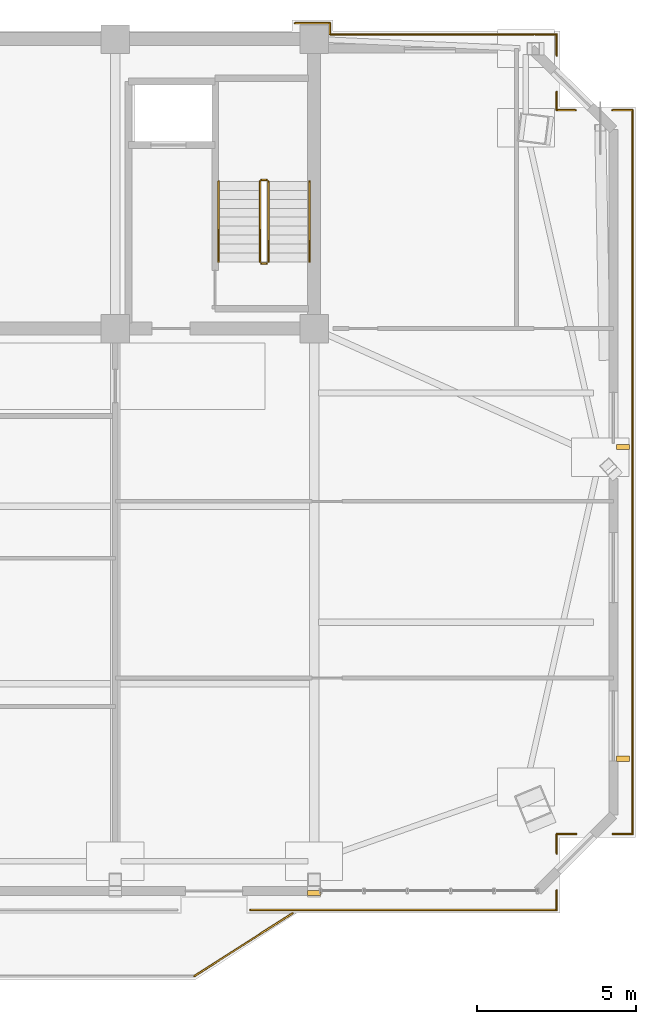
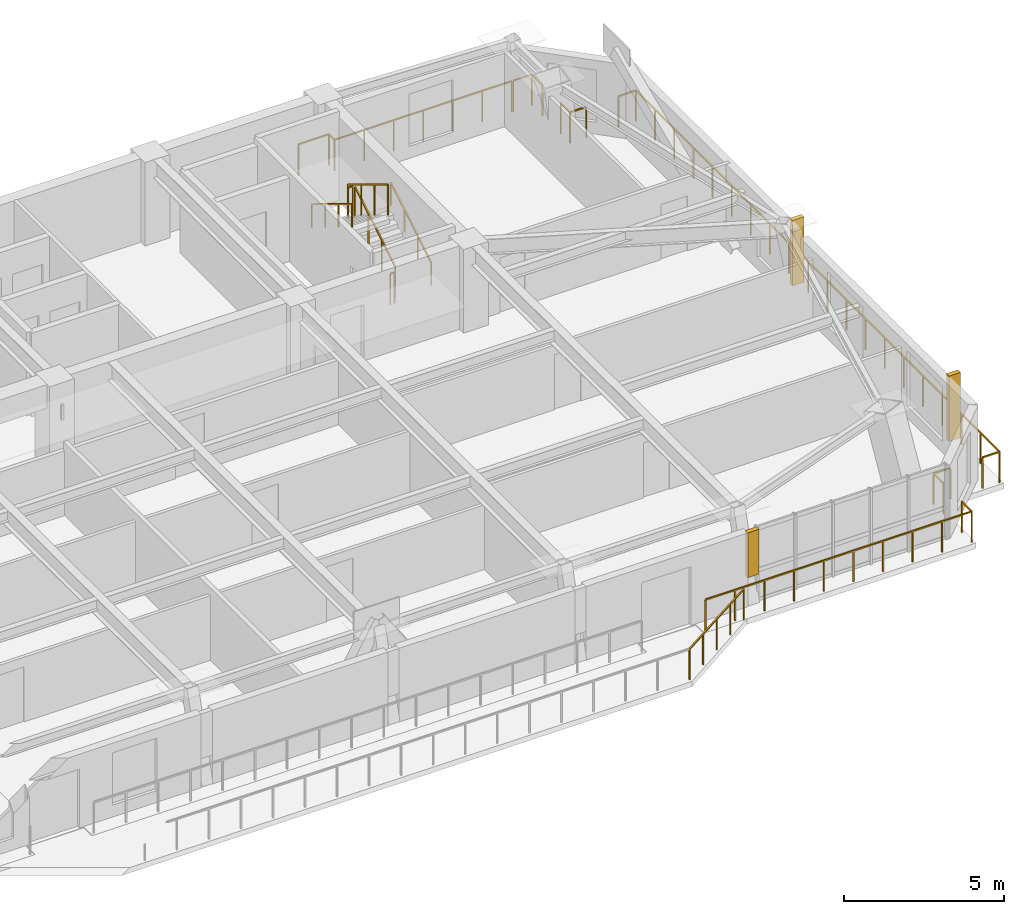
# One storey, part 14 of 14: 21 railings, 2 shading devices, 1 covering.
"""IFC4 building model written with IfcOpenShell, lengths in metres."""

from ifc_helpers import new_model, si_unit, direction, frame, origin, origin_2d, place, context, subcontext, project, spatial, polyline, rectangle, outline, extrude, source, transform, mapped, material, layer, layer_set, type_object, element, save


model = new_model("IFC4")

# Units and contexts
model_context = context("Model", 3, precision=1e-05, world=origin(), true_north=direction((0.0, 1.0)))
body_context = subcontext(model_context, "Body", "Model", "MODEL_VIEW")
ifc_project = project(units=[si_unit("LENGTHUNIT", "METRE"), si_unit("AREAUNIT", "SQUARE_METRE"), si_unit("VOLUMEUNIT", "CUBIC_METRE"), si_unit("PLANEANGLEUNIT", "RADIAN"), si_unit("MASSUNIT", "GRAM", prefix="KILO")], contexts=[model_context])

# Site, building, storey
site_placement = place(None, origin())
site = spatial("IfcSite", under=ifc_project, at=site_placement, CompositionType="ELEMENT")
building_placement = place(site_placement, origin())
building = spatial("IfcBuilding", under=site, at=building_placement, Name="Giltprow Tower", CompositionType="ELEMENT")
storey_placement = place(building_placement, frame((0.0, 0.0, 310.800048828125)))
storey = spatial("IfcBuildingStorey", under=building, at=storey_placement, Name="L80", CompositionType="ELEMENT", Elevation=310.800048828125)

# Covering
ifc_material = material(Name="Anodized bronze", Category="metal")
ifc_layer = layer(ifc_material, 0.0400390625, Name="Anodized bronze")
ifc_layer_set = layer_set([ifc_layer], Name="Anodized bronze")
covering_type = type_object("IfcCoveringType", Name="COV-SOFFIT-BRONZE", PredefinedType="CLADDING", material=ifc_layer_set)
covering_placement = place(storey_placement, frame((0.0, 0.0, 1.099853515625)))
element("IfcCovering", 1, at=covering_placement, inside=storey, type_object=covering_type, Name="L80 Setback Pier Closure Cladding S-5", PredefinedType="CLADDING", context=body_context, shape_type="SweptSolid", body=[
    extrude(outline(polyline([(50.35009765625, 19.632080078125), (50.75, 19.632080078125), (50.75, 19.7919921875), (50.35009765625, 19.7919921875), (50.35009765625, 19.632080078125)])), origin(), (0.0, 0.0, 1.0), 1.715087890625),
])

# Railings
railing_type_1 = type_object("IfcRailingType", Name="RAIL-BALC-GUARD-1200", PredefinedType="BALUSTRADE", material=ifc_material)
railing_1_placement = place(storey_placement, frame((46.780029296875, 17.092041015625, 0.0)))
element("IfcRailing", 2, at=railing_1_placement, inside=storey, type_object=railing_type_1, Name="L80 Waterfront Balcony Balustrade Seg 3", PredefinedType="BALUSTRADE", context=body_context, shape_type="SweptSolid", body=[
    extrude(rectangle(XDim=0.048095703125, YDim=0.048095703125, at=origin_2d()), frame((0.0, 0.0, 1.17578125), z_axis=(0.842755646126, 0.538296313309, 0.0), x_axis=(-0.538296313309, 0.842755646126, 0.0)), (0.0, 0.0, 1.0), 3.67822265625),
    extrude(rectangle(XDim=0.0419921875, YDim=0.0419921875, at=origin_2d()), origin(), (0.0, 0.0, 1.0), 1.15185546875),
    extrude(rectangle(XDim=0.0419921875, YDim=0.0419921875, at=origin_2d()), frame((0.77490234375, 0.4951171875, 0.0)), (0.0, 0.0, 1.0), 1.15185546875),
    extrude(rectangle(XDim=0.0419921875, YDim=0.0419921875, at=origin_2d()), frame((1.5498046875, 0.989990234375, 0.0)), (0.0, 0.0, 1.0), 1.15185546875),
    extrude(rectangle(XDim=0.0419921875, YDim=0.0419921875, at=origin_2d()), frame((2.324951171875, 1.48486328125, 0.0)), (0.0, 0.0, 1.0), 1.15185546875),
    extrude(rectangle(XDim=0.0419921875, YDim=0.0419921875, at=origin_2d()), frame((3.099853515625, 1.97998046875, 0.0)), (0.0, 0.0, 1.0), 1.15185546875),
])
railing_2_placement = place(storey_placement, frame((60.56005859375, 44.31494140625, 0.0)))
element("IfcRailing", 3, at=railing_2_placement, inside=storey, type_object=railing_type_1, Name="L80 Corner Apron Edge Balustrade 1", PredefinedType="BALUSTRADE", context=body_context, shape_type="SweptSolid", body=[
    extrude(rectangle(XDim=0.048095703125, YDim=0.048095703125, at=origin_2d()), frame((0.0, 0.0, 1.17578125), z_axis=(0.0, -1.0, 0.0), x_axis=(1.0, 0.0, 0.0)), (0.0, 0.0, 1.0), 22.758056640625),
    extrude(rectangle(XDim=0.0419921875, YDim=0.0419921875, at=origin_2d()), origin(), (0.0, 0.0, 1.0), 1.15185546875),
    extrude(rectangle(XDim=0.0419921875, YDim=0.0419921875, at=origin_2d()), frame((0.0, -1.19775390625, 0.0)), (0.0, 0.0, 1.0), 1.15185546875),
    extrude(rectangle(XDim=0.0419921875, YDim=0.0419921875, at=origin_2d()), frame((0.0, -2.3955078125, 0.0)), (0.0, 0.0, 1.0), 1.15185546875),
    extrude(rectangle(XDim=0.0419921875, YDim=0.0419921875, at=origin_2d()), frame((0.0, -3.59326171875, 0.0)), (0.0, 0.0, 1.0), 1.15185546875),
    extrude(rectangle(XDim=0.0419921875, YDim=0.0419921875, at=origin_2d()), frame((0.0, -4.791259765625, 0.0)), (0.0, 0.0, 1.0), 1.15185546875),
    extrude(rectangle(XDim=0.0419921875, YDim=0.0419921875, at=origin_2d()), frame((0.0, -5.989013671875, 0.0)), (0.0, 0.0, 1.0), 1.15185546875),
    extrude(rectangle(XDim=0.0419921875, YDim=0.0419921875, at=origin_2d()), frame((0.0, -7.186767578125, 0.0)), (0.0, 0.0, 1.0), 1.15185546875),
    extrude(rectangle(XDim=0.0419921875, YDim=0.0419921875, at=origin_2d()), frame((0.0, -8.384521484375, 0.0)), (0.0, 0.0, 1.0), 1.15185546875),
    extrude(rectangle(XDim=0.0419921875, YDim=0.0419921875, at=origin_2d()), frame((0.0, -9.582275390625, 0.0)), (0.0, 0.0, 1.0), 1.15185546875),
    extrude(rectangle(XDim=0.0419921875, YDim=0.0419921875, at=origin_2d()), frame((0.0, -10.780029296875, 0.0)), (0.0, 0.0, 1.0), 1.15185546875),
    extrude(rectangle(XDim=0.0419921875, YDim=0.0419921875, at=origin_2d()), frame((0.0, -11.97802734375, 0.0)), (0.0, 0.0, 1.0), 1.15185546875),
    extrude(rectangle(XDim=0.0419921875, YDim=0.0419921875, at=origin_2d()), frame((0.0, -13.17578125, 0.0)), (0.0, 0.0, 1.0), 1.15185546875),
    extrude(rectangle(XDim=0.0419921875, YDim=0.0419921875, at=origin_2d()), frame((0.0, -14.37353515625, 0.0)), (0.0, 0.0, 1.0), 1.15185546875),
    extrude(rectangle(XDim=0.0419921875, YDim=0.0419921875, at=origin_2d()), frame((0.0, -15.5712890625, 0.0)), (0.0, 0.0, 1.0), 1.15185546875),
    extrude(rectangle(XDim=0.0419921875, YDim=0.0419921875, at=origin_2d()), frame((0.0, -16.76904296875, 0.0)), (0.0, 0.0, 1.0), 1.15185546875),
    extrude(rectangle(XDim=0.0419921875, YDim=0.0419921875, at=origin_2d()), frame((0.0, -17.966796875, 0.0)), (0.0, 0.0, 1.0), 1.15185546875),
    extrude(rectangle(XDim=0.0419921875, YDim=0.0419921875, at=origin_2d()), frame((0.0, -19.164794921875, 0.0)), (0.0, 0.0, 1.0), 1.15185546875),
    extrude(rectangle(XDim=0.0419921875, YDim=0.0419921875, at=origin_2d()), frame((0.0, -20.362548828125, 0.0)), (0.0, 0.0, 1.0), 1.15185546875),
    extrude(rectangle(XDim=0.0419921875, YDim=0.0419921875, at=origin_2d()), frame((0.0, -21.560302734375, 0.0)), (0.0, 0.0, 1.0), 1.15185546875),
    extrude(rectangle(XDim=0.0419921875, YDim=0.0419921875, at=origin_2d()), frame((0.0, -22.758056640625, 0.0)), (0.0, 0.0, 1.0), 1.15185546875),
])
railing_3_placement = place(storey_placement, frame((60.56005859375, 21.556884765625, 0.0)))
element("IfcRailing", 4, at=railing_3_placement, inside=storey, type_object=railing_type_1, Name="L80 Corner Apron Edge Balustrade 2", PredefinedType="BALUSTRADE", context=body_context, shape_type="SweptSolid", body=[
    extrude(rectangle(XDim=0.048095703125, YDim=0.048095703125, at=origin_2d()), frame((0.0, 0.0, 1.17578125), z_axis=(-1.0, 0.0, 0.0), x_axis=(0.0, -1.0, 0.0)), (0.0, 0.0, 1.0), 0.6201171875),
    extrude(rectangle(XDim=0.0419921875, YDim=0.0419921875, at=origin_2d()), origin(), (0.0, 0.0, 1.0), 1.15185546875),
    extrude(rectangle(XDim=0.0419921875, YDim=0.0419921875, at=origin_2d()), frame((-0.6201171875, 0.0, 0.0)), (0.0, 0.0, 1.0), 1.15185546875),
])
railing_4_placement = place(storey_placement, frame((58.780029296875, 21.556884765625, 0.0)))
element("IfcRailing", 5, at=railing_4_placement, inside=storey, type_object=railing_type_1, Name="L80 Corner Apron Edge Balustrade 3", PredefinedType="BALUSTRADE", context=body_context, shape_type="SweptSolid", body=[
    extrude(rectangle(XDim=0.048095703125, YDim=0.048095703125, at=origin_2d()), frame((0.0, 0.0, 1.17578125), z_axis=(-1.0, 0.0, 0.0), x_axis=(0.0, -1.0, 0.0)), (0.0, 0.0, 1.0), 0.60400390625),
    extrude(rectangle(XDim=0.0419921875, YDim=0.0419921875, at=origin_2d()), origin(), (0.0, 0.0, 1.0), 1.15185546875),
    extrude(rectangle(XDim=0.0419921875, YDim=0.0419921875, at=origin_2d()), frame((-0.60400390625, 0.0, 0.0)), (0.0, 0.0, 1.0), 1.15185546875),
])
railing_5_placement = place(storey_placement, frame((58.176025390625, 21.556884765625, 0.0)))
element("IfcRailing", 6, at=railing_5_placement, inside=storey, type_object=railing_type_1, Name="L80 Corner Apron Edge Balustrade 4", PredefinedType="BALUSTRADE", context=body_context, shape_type="SweptSolid", body=[
    extrude(rectangle(XDim=0.048095703125, YDim=0.048095703125, at=origin_2d()), frame((0.0, 0.0, 1.17578125), z_axis=(0.0, -1.0, 0.0), x_axis=(1.0, 0.0, 0.0)), (0.0, 0.0, 1.0), 0.60400390625),
    extrude(rectangle(XDim=0.0419921875, YDim=0.0419921875, at=origin_2d()), origin(), (0.0, 0.0, 1.0), 1.15185546875),
    extrude(rectangle(XDim=0.0419921875, YDim=0.0419921875, at=origin_2d()), frame((0.0, -0.60400390625, 0.0)), (0.0, 0.0, 1.0), 1.15185546875),
])
railing_6_placement = place(storey_placement, frame((58.176025390625, 19.79296875, 0.0)))
element("IfcRailing", 7, at=railing_6_placement, inside=storey, type_object=railing_type_1, Name="L80 Corner Apron Edge Balustrade 5", PredefinedType="BALUSTRADE", context=body_context, shape_type="SweptSolid", body=[
    extrude(rectangle(XDim=0.048095703125, YDim=0.048095703125, at=origin_2d()), frame((0.0, 0.0, 1.17578125), z_axis=(0.0, -1.0, 0.0), x_axis=(1.0, 0.0, 0.0)), (0.0, 0.0, 1.0), 0.620849609375),
    extrude(rectangle(XDim=0.0419921875, YDim=0.0419921875, at=origin_2d()), origin(), (0.0, 0.0, 1.0), 1.15185546875),
    extrude(rectangle(XDim=0.0419921875, YDim=0.0419921875, at=origin_2d()), frame((0.0, -0.620849609375, 0.0)), (0.0, 0.0, 1.0), 1.15185546875),
])
railing_7_placement = place(storey_placement, frame((58.176025390625, 19.172119140625, 0.0)))
element("IfcRailing", 8, at=railing_7_placement, inside=storey, type_object=railing_type_1, Name="L80 Corner Apron Edge Balustrade 6", PredefinedType="BALUSTRADE", context=body_context, shape_type="SweptSolid", body=[
    extrude(rectangle(XDim=0.048095703125, YDim=0.048095703125, at=origin_2d()), frame((0.0, 0.0, 1.17578125), z_axis=(-1.0, 0.0, 0.0), x_axis=(0.0, -1.0, 0.0)), (0.0, 0.0, 1.0), 9.6259765625),
    extrude(rectangle(XDim=0.0419921875, YDim=0.0419921875, at=origin_2d()), origin(), (0.0, 0.0, 1.0), 1.15185546875),
    extrude(rectangle(XDim=0.0419921875, YDim=0.0419921875, at=origin_2d()), frame((-1.069580078125, 0.0, 0.0)), (0.0, 0.0, 1.0), 1.15185546875),
    extrude(rectangle(XDim=0.0419921875, YDim=0.0419921875, at=origin_2d()), frame((-2.13916015625, 0.0, 0.0)), (0.0, 0.0, 1.0), 1.15185546875),
    extrude(rectangle(XDim=0.0419921875, YDim=0.0419921875, at=origin_2d()), frame((-3.208740234375, 0.0, 0.0)), (0.0, 0.0, 1.0), 1.15185546875),
    extrude(rectangle(XDim=0.0419921875, YDim=0.0419921875, at=origin_2d()), frame((-4.2783203125, 0.0, 0.0)), (0.0, 0.0, 1.0), 1.15185546875),
    extrude(rectangle(XDim=0.0419921875, YDim=0.0419921875, at=origin_2d()), frame((-5.34765625, 0.0, 0.0)), (0.0, 0.0, 1.0), 1.15185546875),
    extrude(rectangle(XDim=0.0419921875, YDim=0.0419921875, at=origin_2d()), frame((-6.417236328125, 0.0, 0.0)), (0.0, 0.0, 1.0), 1.15185546875),
    extrude(rectangle(XDim=0.0419921875, YDim=0.0419921875, at=origin_2d()), frame((-7.48681640625, 0.0, 0.0)), (0.0, 0.0, 1.0), 1.15185546875),
    extrude(rectangle(XDim=0.0419921875, YDim=0.0419921875, at=origin_2d()), frame((-8.556396484375, 0.0, 0.0)), (0.0, 0.0, 1.0), 1.15185546875),
    extrude(rectangle(XDim=0.0419921875, YDim=0.0419921875, at=origin_2d()), frame((-9.6259765625, 0.0, 0.0)), (0.0, 0.0, 1.0), 1.15185546875),
])
railing_8_placement = place(storey_placement, frame((49.949951171875, 47.050048828125, 0.0)))
element("IfcRailing", 9, at=railing_8_placement, inside=storey, type_object=railing_type_1, Name="L80 Corner Apron Edge Balustrade 22", PredefinedType="BALUSTRADE", context=body_context, shape_type="SweptSolid", body=[
    extrude(rectangle(XDim=0.048095703125, YDim=0.048095703125, at=origin_2d()), frame((0.0, 0.0, 1.17578125), z_axis=(1.0, 0.0, 0.0), x_axis=(0.0, 1.0, 0.0)), (0.0, 0.0, 1.0), 1.10009765625),
    extrude(rectangle(XDim=0.0419921875, YDim=0.0419921875, at=origin_2d()), origin(), (0.0, 0.0, 1.0), 1.15185546875),
    extrude(rectangle(XDim=0.0419921875, YDim=0.0419921875, at=origin_2d()), frame((1.10009765625, 0.0, 0.0)), (0.0, 0.0, 1.0), 1.15185546875),
])
railing_9_placement = place(storey_placement, frame((51.050048828125, 47.050048828125, 0.0)))
element("IfcRailing", 10, at=railing_9_placement, inside=storey, type_object=railing_type_1, Name="L80 Corner Apron Edge Balustrade 23", PredefinedType="BALUSTRADE", context=body_context, shape_type="SweptSolid", body=[
    extrude(rectangle(XDim=0.048095703125, YDim=0.048095703125, at=origin_2d()), frame((0.0, 0.0, 1.17578125), z_axis=(0.0, -1.0, 0.0), x_axis=(1.0, 0.0, 0.0)), (0.0, 0.0, 1.0), 0.35009765625),
    extrude(rectangle(XDim=0.0419921875, YDim=0.0419921875, at=origin_2d()), origin(), (0.0, 0.0, 1.0), 1.15185546875),
    extrude(rectangle(XDim=0.0419921875, YDim=0.0419921875, at=origin_2d()), frame((0.0, -0.35009765625, 0.0)), (0.0, 0.0, 1.0), 1.15185546875),
])
railing_10_placement = place(storey_placement, frame((51.050048828125, 46.699951171875, 0.0)))
element("IfcRailing", 11, at=railing_10_placement, inside=storey, type_object=railing_type_1, Name="L80 Corner Apron Edge Balustrade 24", PredefinedType="BALUSTRADE", context=body_context, shape_type="SweptSolid", body=[
    extrude(rectangle(XDim=0.048095703125, YDim=0.048095703125, at=origin_2d()), frame((0.0, 0.0, 1.17578125), z_axis=(1.0, 0.0, 0.0), x_axis=(0.0, 1.0, 0.0)), (0.0, 0.0, 1.0), 6.40185546875),
    extrude(rectangle(XDim=0.0419921875, YDim=0.0419921875, at=origin_2d()), origin(), (0.0, 0.0, 1.0), 1.15185546875),
    extrude(rectangle(XDim=0.0419921875, YDim=0.0419921875, at=origin_2d()), frame((1.06689453125, 0.0, 0.0)), (0.0, 0.0, 1.0), 1.15185546875),
    extrude(rectangle(XDim=0.0419921875, YDim=0.0419921875, at=origin_2d()), frame((2.134033203125, 0.0, 0.0)), (0.0, 0.0, 1.0), 1.15185546875),
    extrude(rectangle(XDim=0.0419921875, YDim=0.0419921875, at=origin_2d()), frame((3.200927734375, 0.0, 0.0)), (0.0, 0.0, 1.0), 1.15185546875),
    extrude(rectangle(XDim=0.0419921875, YDim=0.0419921875, at=origin_2d()), frame((4.267822265625, 0.0, 0.0)), (0.0, 0.0, 1.0), 1.15185546875),
    extrude(rectangle(XDim=0.0419921875, YDim=0.0419921875, at=origin_2d()), frame((5.3349609375, 0.0, 0.0)), (0.0, 0.0, 1.0), 1.15185546875),
    extrude(rectangle(XDim=0.0419921875, YDim=0.0419921875, at=origin_2d()), frame((6.40185546875, 0.0, 0.0)), (0.0, 0.0, 1.0), 1.15185546875),
])
railing_11_placement = place(storey_placement, frame((57.501953125, 46.699951171875, 0.0)))
element("IfcRailing", 12, at=railing_11_placement, inside=storey, type_object=railing_type_1, Name="L80 Corner Apron Edge Balustrade 25", PredefinedType="BALUSTRADE", context=body_context, shape_type="SweptSolid", body=[
    extrude(rectangle(XDim=0.048095703125, YDim=0.048095703125, at=origin_2d()), frame((0.0, 0.0, 1.17578125), z_axis=(1.0, 0.0, 0.0), x_axis=(0.0, 1.0, 0.0)), (0.0, 0.0, 1.0), 0.674072265625),
    extrude(rectangle(XDim=0.0419921875, YDim=0.0419921875, at=origin_2d()), origin(), (0.0, 0.0, 1.0), 1.15185546875),
    extrude(rectangle(XDim=0.0419921875, YDim=0.0419921875, at=origin_2d()), frame((0.674072265625, 0.0, 0.0)), (0.0, 0.0, 1.0), 1.15185546875),
])
railing_12_placement = place(storey_placement, frame((58.176025390625, 46.699951171875, 0.0)))
element("IfcRailing", 13, at=railing_12_placement, inside=storey, type_object=railing_type_1, Name="L80 Corner Apron Edge Balustrade 26", PredefinedType="BALUSTRADE", context=body_context, shape_type="SweptSolid", body=[
    extrude(rectangle(XDim=0.048095703125, YDim=0.048095703125, at=origin_2d()), frame((0.0, 0.0, 1.17578125), z_axis=(0.0, -1.0, 0.0), x_axis=(1.0, 0.0, 0.0)), (0.0, 0.0, 1.0), 0.660888671875),
    extrude(rectangle(XDim=0.0419921875, YDim=0.0419921875, at=origin_2d()), origin(), (0.0, 0.0, 1.0), 1.15185546875),
    extrude(rectangle(XDim=0.0419921875, YDim=0.0419921875, at=origin_2d()), frame((0.0, -0.660888671875, 0.0)), (0.0, 0.0, 1.0), 1.15185546875),
])
railing_13_placement = place(storey_placement, frame((58.176025390625, 44.889892578125, 0.0)))
element("IfcRailing", 14, at=railing_13_placement, inside=storey, type_object=railing_type_1, Name="L80 Corner Apron Edge Balustrade 27", PredefinedType="BALUSTRADE", context=body_context, shape_type="SweptSolid", body=[
    extrude(rectangle(XDim=0.048095703125, YDim=0.048095703125, at=origin_2d()), frame((0.0, 0.0, 1.17578125), z_axis=(0.0, -1.0, 0.0), x_axis=(1.0, 0.0, 0.0)), (0.0, 0.0, 1.0), 0.574951171875),
    extrude(rectangle(XDim=0.0419921875, YDim=0.0419921875, at=origin_2d()), origin(), (0.0, 0.0, 1.0), 1.15185546875),
    extrude(rectangle(XDim=0.0419921875, YDim=0.0419921875, at=origin_2d()), frame((0.0, -0.574951171875, 0.0)), (0.0, 0.0, 1.0), 1.15185546875),
])
railing_14_placement = place(storey_placement, frame((58.176025390625, 44.31494140625, 0.0)))
element("IfcRailing", 15, at=railing_14_placement, inside=storey, type_object=railing_type_1, Name="L80 Corner Apron Edge Balustrade 28", PredefinedType="BALUSTRADE", context=body_context, shape_type="SweptSolid", body=[
    extrude(rectangle(XDim=0.048095703125, YDim=0.048095703125, at=origin_2d()), frame((0.0, 0.0, 1.17578125), z_axis=(1.0, 0.0, 0.0), x_axis=(0.0, 1.0, 0.0)), (0.0, 0.0, 1.0), 0.5869140625),
    extrude(rectangle(XDim=0.0419921875, YDim=0.0419921875, at=origin_2d()), origin(), (0.0, 0.0, 1.0), 1.15185546875),
    extrude(rectangle(XDim=0.0419921875, YDim=0.0419921875, at=origin_2d()), frame((0.5869140625, 0.0, 0.0)), (0.0, 0.0, 1.0), 1.15185546875),
])
railing_15_placement = place(storey_placement, frame((59.93408203125, 44.31494140625, 0.0)))
element("IfcRailing", 16, at=railing_15_placement, inside=storey, type_object=railing_type_1, Name="L80 Corner Apron Edge Balustrade 29", PredefinedType="BALUSTRADE", context=body_context, shape_type="SweptSolid", body=[
    extrude(rectangle(XDim=0.048095703125, YDim=0.048095703125, at=origin_2d()), frame((0.0, 0.0, 1.17578125), z_axis=(1.0, 0.0, 0.0), x_axis=(0.0, 1.0, 0.0)), (0.0, 0.0, 1.0), 0.6259765625),
    extrude(rectangle(XDim=0.0419921875, YDim=0.0419921875, at=origin_2d()), origin(), (0.0, 0.0, 1.0), 1.15185546875),
    extrude(rectangle(XDim=0.0419921875, YDim=0.0419921875, at=origin_2d()), frame((0.6259765625, 0.0, 0.0)), (0.0, 0.0, 1.0), 1.15185546875),
])
railing_type_2 = type_object("IfcRailingType", Name="RAIL-STAIR-GUARD-1200", PredefinedType="GUARDRAIL", material=ifc_material)
railing_16_placement = place(storey_placement, frame((49.110107421875, 39.550048828125, 0.169921875)))
element("IfcRailing", 17, at=railing_16_placement, inside=storey, type_object=railing_type_2, Name="L80 ST-3 stair guard 1", PredefinedType="GUARDRAIL", context=body_context, shape_type="SweptSolid", body=[
    extrude(rectangle(XDim=0.048095703125, YDim=0.048095703125, at=origin_2d()), frame((0.0, 0.0, 1.17578125), z_axis=(0.0, 0.85478489116, 0.518982456201), x_axis=(-1.0, 0.0, 0.0)), (0.0, 0.0, 1.0), 2.9482421875),
    extrude(rectangle(XDim=0.0419921875, YDim=0.0419921875, at=origin_2d()), origin(), (0.0, 0.0, 1.0), 1.15185546875),
    extrude(rectangle(XDim=0.0419921875, YDim=0.0419921875, at=origin_2d()), frame((0.0, 0.840087890625, 0.510009765625)), (0.0, 0.0, 1.0), 1.15185546875),
    extrude(rectangle(XDim=0.0419921875, YDim=0.0419921875, at=origin_2d()), frame((0.0, 1.679931640625, 1.02001953125)), (0.0, 0.0, 1.0), 1.15185546875),
    extrude(rectangle(XDim=0.0419921875, YDim=0.0419921875, at=origin_2d()), frame((0.0, 2.52001953125, 1.530029296875)), (0.0, 0.0, 1.0), 1.15185546875),
])
railing_17_placement = place(storey_placement, frame((49.06005859375, 42.1201171875, 1.699951171875)))
element("IfcRailing", 18, at=railing_17_placement, inside=storey, type_object=railing_type_2, Name="L80 ST-3 stair guard 2", PredefinedType="GUARDRAIL", context=body_context, shape_type="SweptSolid", body=[
    extrude(rectangle(XDim=0.048095703125, YDim=0.048095703125, at=origin_2d()), frame((0.0, 0.0, 1.17578125), z_axis=(-1.0, 0.0, 0.0), x_axis=(0.0, -1.0, 0.0)), (0.0, 0.0, 1.0), 0.16015625),
    extrude(rectangle(XDim=0.0419921875, YDim=0.0419921875, at=origin_2d()), origin(), (0.0, 0.0, 1.0), 1.15185546875),
    extrude(rectangle(XDim=0.0419921875, YDim=0.0419921875, at=origin_2d()), frame((-0.16015625, 0.0, 0.0)), (0.0, 0.0, 1.0), 1.15185546875),
])
railing_18_placement = place(storey_placement, frame((48.85009765625, 42.070068359375, 1.869873046875)))
element("IfcRailing", 19, at=railing_18_placement, inside=storey, type_object=railing_type_2, Name="L80 ST-3 stair guard 3", PredefinedType="GUARDRAIL", context=body_context, shape_type="SweptSolid", body=[
    extrude(rectangle(XDim=0.048095703125, YDim=0.048095703125, at=origin_2d()), frame((0.0, 0.0, 1.17578125), z_axis=(0.0, -0.85478489116, 0.518982456201), x_axis=(1.0, 0.0, 0.0)), (0.0, 0.0, 1.0), 2.9482421875),
    extrude(rectangle(XDim=0.0419921875, YDim=0.0419921875, at=origin_2d()), origin(), (0.0, 0.0, 1.0), 1.15185546875),
    extrude(rectangle(XDim=0.0419921875, YDim=0.0419921875, at=origin_2d()), frame((0.0, -0.840087890625, 0.510009765625)), (0.0, 0.0, 1.0), 1.15185546875),
    extrude(rectangle(XDim=0.0419921875, YDim=0.0419921875, at=origin_2d()), frame((0.0, -1.679931640625, 1.02001953125)), (0.0, 0.0, 1.0), 1.15185546875),
    extrude(rectangle(XDim=0.0419921875, YDim=0.0419921875, at=origin_2d()), frame((0.0, -2.52001953125, 1.530029296875)), (0.0, 0.0, 1.0), 1.15185546875),
])
railing_19_placement = place(storey_placement, frame((49.06005859375, 39.5, 0.0)))
element("IfcRailing", 20, at=railing_19_placement, inside=storey, type_object=railing_type_2, Name="L80 ST-3 stair guard 4", PredefinedType="GUARDRAIL", context=body_context, shape_type="SweptSolid", body=[
    extrude(rectangle(XDim=0.048095703125, YDim=0.048095703125, at=origin_2d()), frame((0.0, 0.0, 1.17578125), z_axis=(-1.0, 0.0, 0.0), x_axis=(0.0, -1.0, 0.0)), (0.0, 0.0, 1.0), 0.16015625),
    extrude(rectangle(XDim=0.0419921875, YDim=0.0419921875, at=origin_2d()), origin(), (0.0, 0.0, 1.0), 1.15185546875),
    extrude(rectangle(XDim=0.0419921875, YDim=0.0419921875, at=origin_2d()), frame((-0.16015625, 0.0, 0.0)), (0.0, 0.0, 1.0), 1.15185546875),
])
railing_type_3 = type_object("IfcRailingType", Name="RAIL-STAIR-HAND-900", PredefinedType="HANDRAIL", material=ifc_material)
railing_20_placement = place(storey_placement, frame((50.409912109375, 39.550048828125, 0.169921875)))
element("IfcRailing", 21, at=railing_20_placement, inside=storey, type_object=railing_type_3, Name="L80 ST-3 stair handrail 1", PredefinedType="HANDRAIL", context=body_context, shape_type="SweptSolid", body=[
    extrude(rectangle(XDim=0.048095703125, YDim=0.048095703125, at=origin_2d()), frame((0.0, 0.0, 0.8759765625), z_axis=(0.0, 0.85478489116, 0.518982456201), x_axis=(-1.0, 0.0, 0.0)), (0.0, 0.0, 1.0), 2.9482421875),
    extrude(rectangle(XDim=0.0419921875, YDim=0.0419921875, at=origin_2d()), origin(), (0.0, 0.0, 1.0), 0.851806640625),
    extrude(rectangle(XDim=0.0419921875, YDim=0.0419921875, at=origin_2d()), frame((0.0, 0.840087890625, 0.510009765625)), (0.0, 0.0, 1.0), 0.851806640625),
    extrude(rectangle(XDim=0.0419921875, YDim=0.0419921875, at=origin_2d()), frame((0.0, 1.679931640625, 1.02001953125)), (0.0, 0.0, 1.0), 0.851806640625),
    extrude(rectangle(XDim=0.0419921875, YDim=0.0419921875, at=origin_2d()), frame((0.0, 2.52001953125, 1.530029296875)), (0.0, 0.0, 1.0), 0.851806640625),
])
railing_21_placement = place(storey_placement, frame((47.550048828125, 42.070068359375, 1.869873046875)))
element("IfcRailing", 22, at=railing_21_placement, inside=storey, type_object=railing_type_3, Name="L80 ST-3 stair handrail 2", PredefinedType="HANDRAIL", context=body_context, shape_type="SweptSolid", body=[
    extrude(rectangle(XDim=0.048095703125, YDim=0.048095703125, at=origin_2d()), frame((0.0, 0.0, 0.8759765625), z_axis=(0.0, -0.85478489116, 0.518982456201), x_axis=(1.0, 0.0, 0.0)), (0.0, 0.0, 1.0), 2.9482421875),
    extrude(rectangle(XDim=0.0419921875, YDim=0.0419921875, at=origin_2d()), origin(), (0.0, 0.0, 1.0), 0.851806640625),
    extrude(rectangle(XDim=0.0419921875, YDim=0.0419921875, at=origin_2d()), frame((0.0, -0.840087890625, 0.510009765625)), (0.0, 0.0, 1.0), 0.851806640625),
    extrude(rectangle(XDim=0.0419921875, YDim=0.0419921875, at=origin_2d()), frame((0.0, -1.679931640625, 1.02001953125)), (0.0, 0.0, 1.0), 0.851806640625),
    extrude(rectangle(XDim=0.0419921875, YDim=0.0419921875, at=origin_2d()), frame((0.0, -2.52001953125, 1.530029296875)), (0.0, 0.0, 1.0), 0.851806640625),
])

# Shading devices
shading_device_type = type_object("IfcShadingDeviceType", Name="SHD-FIN-420", PredefinedType="USERDEFINED", material=ifc_material)
shared_shape = source(origin(), body_context, "Body", "SweptSolid", [
    extrude(rectangle(XDim=0.419921875, YDim=0.159912109375, at=origin_2d()), origin(), (0.0, 0.0, 1.0), 2.5),
])
for number, where, z_axis, x_axis, name in (
    (23, (60.260009765625, 23.927978515625, 0.349853515625), (0.0, 0.0, 1.0), (1.0, 0.0, 0.0), "L80 E Bronze Vertical Fin 1-1"),
    (24, (60.260009765625, 33.72802734375, 0.349853515625), (0.0, 0.0, 1.0), (1.0, 0.0, 0.0), "L80 E Bronze Vertical Fin 2-1"),
):
    element("IfcShadingDevice", number, at=place(storey_placement, frame(where, z_axis=z_axis, x_axis=x_axis)), inside=storey, type_object=shading_device_type, Name=name, ObjectType="FIN", PredefinedType="USERDEFINED", context=body_context, shape_type="MappedRepresentation", body=[
        mapped(shared_shape, transform((0.0, 0.0, 0.0), x_axis=(1.0, 0.0, 0.0), y_axis=(0.0, 1.0, 0.0), z_axis=(0.0, 0.0, 1.0), scale=1.0)),
    ])

save(model, "model.ifc")
